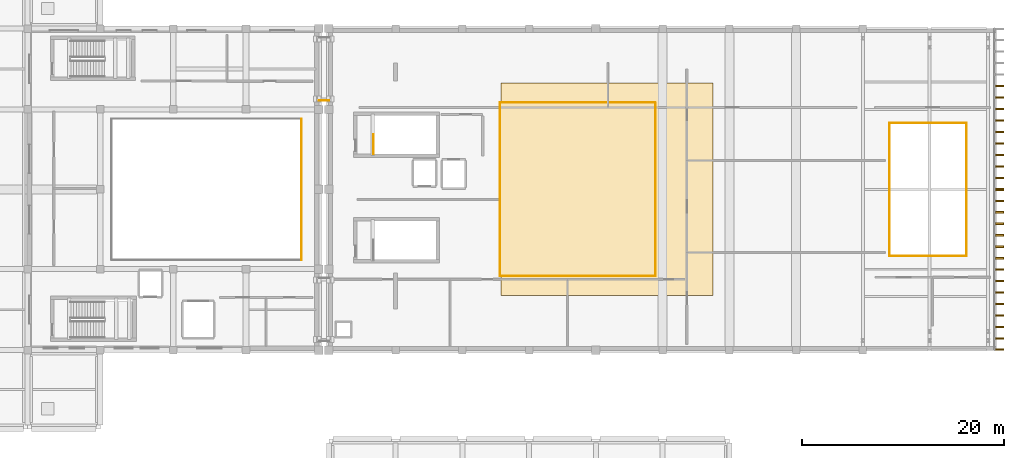
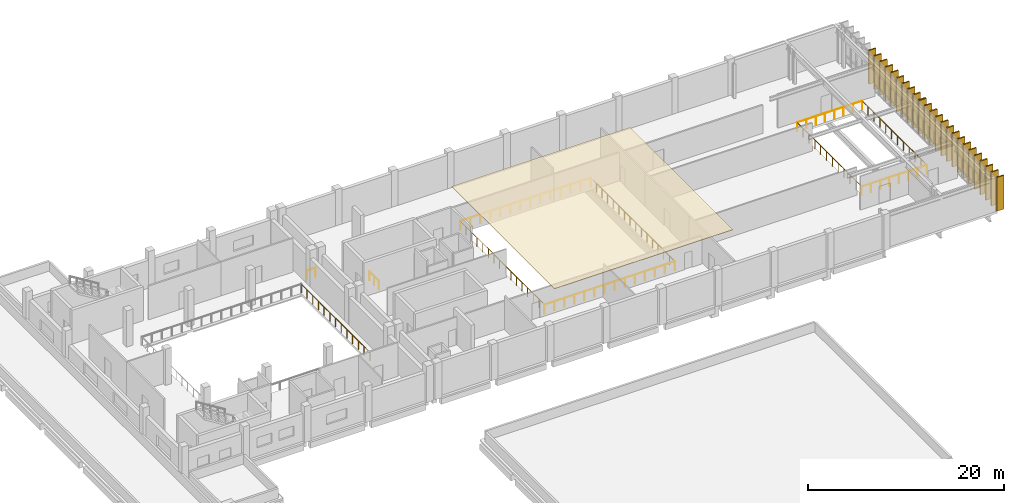
# One storey, part 21 of 23: 26 coverings, 11 railings.
"""IFC4 building model written with IfcOpenShell, lengths in metres."""

from ifc_helpers import new_model, si_unit, direction, frame, origin, origin_2d, place, context, subcontext, project, spatial, polyline, rectangle, circle, outline, extrude, material, layer, layer_set, type_object, element, save


model = new_model("IFC4")

# Units and contexts
model_context = context("Model", 3, precision=1e-05, world=origin(), true_north=direction((0.0, 1.0)))
body_context = subcontext(model_context, "Body", "Model", "MODEL_VIEW")
ifc_project = project(units=[si_unit("LENGTHUNIT", "METRE"), si_unit("AREAUNIT", "SQUARE_METRE"), si_unit("VOLUMEUNIT", "CUBIC_METRE"), si_unit("PLANEANGLEUNIT", "RADIAN"), si_unit("MASSUNIT", "GRAM", prefix="KILO")], contexts=[model_context])

# Site, building, storey
site_placement = place(None, origin())
site = spatial("IfcSite", under=ifc_project, at=site_placement, CompositionType="ELEMENT")
building_placement = place(site_placement, origin())
building = spatial("IfcBuilding", under=site, at=building_placement, Name="Kelarvand Opera House", CompositionType="ELEMENT")
storey_placement = place(building_placement, frame((0.0, 0.0, 19.5)))
storey = spatial("IfcBuildingStorey", under=building, at=storey_placement, Name="L04", CompositionType="ELEMENT", Elevation=19.5)

# Railings
ifc_material_1 = material(Name="Laminated safety glass with bronze cap rail", Category="glass")
railing_type_1 = type_object("IfcRailingType", Name="Laminated Glass and Bronze Foyer Balustrade 1120", PredefinedType="BALUSTRADE", material=ifc_material_1)
railing_1_placement = place(storey_placement, frame((121.280029296875, 71.080078125, 0.0)))
element("IfcRailing", 1, at=railing_1_placement, inside=storey, type_object=railing_type_1, Name="V1 L04 Balustrade 97", PredefinedType="BALUSTRADE", context=body_context, shape_type="SweptSolid", body=[
    extrude(circle(Radius=0.02392578125, at=origin_2d()), frame((0.0, 0.0, 1.09619140625), z_axis=(0.0, -1.0, 0.0), x_axis=(1.0, 0.0, 0.0)), (0.0, 0.0, 1.0), 17.16015625),
    extrude(circle(Radius=0.02099609375, at=origin_2d()), origin(), (0.0, 0.0, 1.0), 1.072021484375),
    extrude(circle(Radius=0.02099609375, at=origin_2d()), frame((0.0, -1.14404296875, 0.0)), (0.0, 0.0, 1.0), 1.072021484375),
    extrude(circle(Radius=0.02099609375, at=origin_2d()), frame((0.0, -2.2880859375, 0.0)), (0.0, 0.0, 1.0), 1.072021484375),
    extrude(circle(Radius=0.02099609375, at=origin_2d()), frame((0.0, -3.43212890625, 0.0)), (0.0, 0.0, 1.0), 1.072021484375),
    extrude(circle(Radius=0.02099609375, at=origin_2d()), frame((0.0, -4.575927734375, 0.0)), (0.0, 0.0, 1.0), 1.072021484375),
    extrude(circle(Radius=0.02099609375, at=origin_2d()), frame((0.0, -5.719970703125, 0.0)), (0.0, 0.0, 1.0), 1.072021484375),
    extrude(circle(Radius=0.02099609375, at=origin_2d()), frame((0.0, -6.864013671875, 0.0)), (0.0, 0.0, 1.0), 1.072021484375),
    extrude(circle(Radius=0.02099609375, at=origin_2d()), frame((0.0, -8.008056640625, 0.0)), (0.0, 0.0, 1.0), 1.072021484375),
    extrude(circle(Radius=0.02099609375, at=origin_2d()), frame((0.0, -9.152099609375, 0.0)), (0.0, 0.0, 1.0), 1.072021484375),
    extrude(circle(Radius=0.02099609375, at=origin_2d()), frame((0.0, -10.296142578125, 0.0)), (0.0, 0.0, 1.0), 1.072021484375),
    extrude(circle(Radius=0.02099609375, at=origin_2d()), frame((0.0, -11.440185546875, 0.0)), (0.0, 0.0, 1.0), 1.072021484375),
    extrude(circle(Radius=0.02099609375, at=origin_2d()), frame((0.0, -12.584228515625, 0.0)), (0.0, 0.0, 1.0), 1.072021484375),
    extrude(circle(Radius=0.02099609375, at=origin_2d()), frame((0.0, -13.72802734375, 0.0)), (0.0, 0.0, 1.0), 1.072021484375),
    extrude(circle(Radius=0.02099609375, at=origin_2d()), frame((0.0, -14.8720703125, 0.0)), (0.0, 0.0, 1.0), 1.072021484375),
    extrude(circle(Radius=0.02099609375, at=origin_2d()), frame((0.0, -16.01611328125, 0.0)), (0.0, 0.0, 1.0), 1.072021484375),
    extrude(circle(Radius=0.02099609375, at=origin_2d()), frame((0.0, -17.16015625, 0.0)), (0.0, 0.0, 1.0), 1.072021484375),
])
railing_2_placement = place(storey_placement, frame((121.280029296875, 53.919921875, 0.0)))
element("IfcRailing", 2, at=railing_2_placement, inside=storey, type_object=railing_type_1, Name="V1 L04 Balustrade 98", PredefinedType="BALUSTRADE", context=body_context, shape_type="SweptSolid", body=[
    extrude(circle(Radius=0.02392578125, at=origin_2d()), frame((0.0, 0.0, 1.09619140625), z_axis=(-1.0, 0.0, 0.0), x_axis=(0.0, -1.0, 0.0)), (0.0, 0.0, 1.0), 15.360107421875),
    extrude(circle(Radius=0.02099609375, at=origin_2d()), origin(), (0.0, 0.0, 1.0), 1.072021484375),
    extrude(circle(Radius=0.02099609375, at=origin_2d()), frame((-1.181640625, 0.0, 0.0)), (0.0, 0.0, 1.0), 1.072021484375),
    extrude(circle(Radius=0.02099609375, at=origin_2d()), frame((-2.363037109375, 0.0, 0.0)), (0.0, 0.0, 1.0), 1.072021484375),
    extrude(circle(Radius=0.02099609375, at=origin_2d()), frame((-3.544677734375, 0.0, 0.0)), (0.0, 0.0, 1.0), 1.072021484375),
    extrude(circle(Radius=0.02099609375, at=origin_2d()), frame((-4.72607421875, 0.0, 0.0)), (0.0, 0.0, 1.0), 1.072021484375),
    extrude(circle(Radius=0.02099609375, at=origin_2d()), frame((-5.90771484375, 0.0, 0.0)), (0.0, 0.0, 1.0), 1.072021484375),
    extrude(circle(Radius=0.02099609375, at=origin_2d()), frame((-7.08935546875, 0.0, 0.0)), (0.0, 0.0, 1.0), 1.072021484375),
    extrude(circle(Radius=0.02099609375, at=origin_2d()), frame((-8.270751953125, 0.0, 0.0)), (0.0, 0.0, 1.0), 1.072021484375),
    extrude(circle(Radius=0.02099609375, at=origin_2d()), frame((-9.452392578125, 0.0, 0.0)), (0.0, 0.0, 1.0), 1.072021484375),
    extrude(circle(Radius=0.02099609375, at=origin_2d()), frame((-10.634033203125, 0.0, 0.0)), (0.0, 0.0, 1.0), 1.072021484375),
    extrude(circle(Radius=0.02099609375, at=origin_2d()), frame((-11.8154296875, 0.0, 0.0)), (0.0, 0.0, 1.0), 1.072021484375),
    extrude(circle(Radius=0.02099609375, at=origin_2d()), frame((-12.9970703125, 0.0, 0.0)), (0.0, 0.0, 1.0), 1.072021484375),
    extrude(circle(Radius=0.02099609375, at=origin_2d()), frame((-14.178466796875, 0.0, 0.0)), (0.0, 0.0, 1.0), 1.072021484375),
    extrude(circle(Radius=0.02099609375, at=origin_2d()), frame((-15.360107421875, 0.0, 0.0)), (0.0, 0.0, 1.0), 1.072021484375),
])
railing_3_placement = place(storey_placement, frame((105.919921875, 53.919921875, 0.0)))
element("IfcRailing", 3, at=railing_3_placement, inside=storey, type_object=railing_type_1, Name="V1 L04 Balustrade 99", PredefinedType="BALUSTRADE", context=body_context, shape_type="SweptSolid", body=[
    extrude(circle(Radius=0.02392578125, at=origin_2d()), frame((0.0, 0.0, 1.09619140625), z_axis=(0.0, 1.0, 0.0), x_axis=(-1.0, 0.0, 0.0)), (0.0, 0.0, 1.0), 17.16015625),
    extrude(circle(Radius=0.02099609375, at=origin_2d()), origin(), (0.0, 0.0, 1.0), 1.072021484375),
    extrude(circle(Radius=0.02099609375, at=origin_2d()), frame((0.0, 1.14404296875, 0.0)), (0.0, 0.0, 1.0), 1.072021484375),
    extrude(circle(Radius=0.02099609375, at=origin_2d()), frame((0.0, 2.2880859375, 0.0)), (0.0, 0.0, 1.0), 1.072021484375),
    extrude(circle(Radius=0.02099609375, at=origin_2d()), frame((0.0, 3.43212890625, 0.0)), (0.0, 0.0, 1.0), 1.072021484375),
    extrude(circle(Radius=0.02099609375, at=origin_2d()), frame((0.0, 4.575927734375, 0.0)), (0.0, 0.0, 1.0), 1.072021484375),
    extrude(circle(Radius=0.02099609375, at=origin_2d()), frame((0.0, 5.719970703125, 0.0)), (0.0, 0.0, 1.0), 1.072021484375),
    extrude(circle(Radius=0.02099609375, at=origin_2d()), frame((0.0, 6.864013671875, 0.0)), (0.0, 0.0, 1.0), 1.072021484375),
    extrude(circle(Radius=0.02099609375, at=origin_2d()), frame((0.0, 8.008056640625, 0.0)), (0.0, 0.0, 1.0), 1.072021484375),
    extrude(circle(Radius=0.02099609375, at=origin_2d()), frame((0.0, 9.152099609375, 0.0)), (0.0, 0.0, 1.0), 1.072021484375),
    extrude(circle(Radius=0.02099609375, at=origin_2d()), frame((0.0, 10.296142578125, 0.0)), (0.0, 0.0, 1.0), 1.072021484375),
    extrude(circle(Radius=0.02099609375, at=origin_2d()), frame((0.0, 11.440185546875, 0.0)), (0.0, 0.0, 1.0), 1.072021484375),
    extrude(circle(Radius=0.02099609375, at=origin_2d()), frame((0.0, 12.584228515625, 0.0)), (0.0, 0.0, 1.0), 1.072021484375),
    extrude(circle(Radius=0.02099609375, at=origin_2d()), frame((0.0, 13.72802734375, 0.0)), (0.0, 0.0, 1.0), 1.072021484375),
    extrude(circle(Radius=0.02099609375, at=origin_2d()), frame((0.0, 14.8720703125, 0.0)), (0.0, 0.0, 1.0), 1.072021484375),
    extrude(circle(Radius=0.02099609375, at=origin_2d()), frame((0.0, 16.01611328125, 0.0)), (0.0, 0.0, 1.0), 1.072021484375),
    extrude(circle(Radius=0.02099609375, at=origin_2d()), frame((0.0, 17.16015625, 0.0)), (0.0, 0.0, 1.0), 1.072021484375),
])
railing_4_placement = place(storey_placement, frame((105.919921875, 71.080078125, 0.0)))
element("IfcRailing", 4, at=railing_4_placement, inside=storey, type_object=railing_type_1, Name="V1 L04 Balustrade 100", PredefinedType="BALUSTRADE", context=body_context, shape_type="SweptSolid", body=[
    extrude(circle(Radius=0.02392578125, at=origin_2d()), frame((0.0, 0.0, 1.09619140625), z_axis=(1.0, 0.0, 0.0), x_axis=(0.0, 1.0, 0.0)), (0.0, 0.0, 1.0), 15.360107421875),
    extrude(circle(Radius=0.02099609375, at=origin_2d()), origin(), (0.0, 0.0, 1.0), 1.072021484375),
    extrude(circle(Radius=0.02099609375, at=origin_2d()), frame((1.181640625, 0.0, 0.0)), (0.0, 0.0, 1.0), 1.072021484375),
    extrude(circle(Radius=0.02099609375, at=origin_2d()), frame((2.363037109375, 0.0, 0.0)), (0.0, 0.0, 1.0), 1.072021484375),
    extrude(circle(Radius=0.02099609375, at=origin_2d()), frame((3.544677734375, 0.0, 0.0)), (0.0, 0.0, 1.0), 1.072021484375),
    extrude(circle(Radius=0.02099609375, at=origin_2d()), frame((4.72607421875, 0.0, 0.0)), (0.0, 0.0, 1.0), 1.072021484375),
    extrude(circle(Radius=0.02099609375, at=origin_2d()), frame((5.90771484375, 0.0, 0.0)), (0.0, 0.0, 1.0), 1.072021484375),
    extrude(circle(Radius=0.02099609375, at=origin_2d()), frame((7.08935546875, 0.0, 0.0)), (0.0, 0.0, 1.0), 1.072021484375),
    extrude(circle(Radius=0.02099609375, at=origin_2d()), frame((8.270751953125, 0.0, 0.0)), (0.0, 0.0, 1.0), 1.072021484375),
    extrude(circle(Radius=0.02099609375, at=origin_2d()), frame((9.452392578125, 0.0, 0.0)), (0.0, 0.0, 1.0), 1.072021484375),
    extrude(circle(Radius=0.02099609375, at=origin_2d()), frame((10.634033203125, 0.0, 0.0)), (0.0, 0.0, 1.0), 1.072021484375),
    extrude(circle(Radius=0.02099609375, at=origin_2d()), frame((11.8154296875, 0.0, 0.0)), (0.0, 0.0, 1.0), 1.072021484375),
    extrude(circle(Radius=0.02099609375, at=origin_2d()), frame((12.9970703125, 0.0, 0.0)), (0.0, 0.0, 1.0), 1.072021484375),
    extrude(circle(Radius=0.02099609375, at=origin_2d()), frame((14.178466796875, 0.0, 0.0)), (0.0, 0.0, 1.0), 1.072021484375),
    extrude(circle(Radius=0.02099609375, at=origin_2d()), frame((15.360107421875, 0.0, 0.0)), (0.0, 0.0, 1.0), 1.072021484375),
])
railing_5_placement = place(storey_placement, frame((152.080078125, 69.080078125, 0.0)))
element("IfcRailing", 5, at=railing_5_placement, inside=storey, type_object=railing_type_1, Name="V1 L04 Balustrade 101", PredefinedType="BALUSTRADE", context=body_context, shape_type="SweptSolid", body=[
    extrude(circle(Radius=0.02392578125, at=origin_2d()), frame((0.0, 0.0, 1.09619140625), z_axis=(0.0, -1.0, 0.0), x_axis=(1.0, 0.0, 0.0)), (0.0, 0.0, 1.0), 13.16015625),
    extrude(circle(Radius=0.02099609375, at=origin_2d()), origin(), (0.0, 0.0, 1.0), 1.072021484375),
    extrude(circle(Radius=0.02099609375, at=origin_2d()), frame((0.0, -1.1962890625, 0.0)), (0.0, 0.0, 1.0), 1.072021484375),
    extrude(circle(Radius=0.02099609375, at=origin_2d()), frame((0.0, -2.392822265625, 0.0)), (0.0, 0.0, 1.0), 1.072021484375),
    extrude(circle(Radius=0.02099609375, at=origin_2d()), frame((0.0, -3.589111328125, 0.0)), (0.0, 0.0, 1.0), 1.072021484375),
    extrude(circle(Radius=0.02099609375, at=origin_2d()), frame((0.0, -4.785400390625, 0.0)), (0.0, 0.0, 1.0), 1.072021484375),
    extrude(circle(Radius=0.02099609375, at=origin_2d()), frame((0.0, -5.98193359375, 0.0)), (0.0, 0.0, 1.0), 1.072021484375),
    extrude(circle(Radius=0.02099609375, at=origin_2d()), frame((0.0, -7.17822265625, 0.0)), (0.0, 0.0, 1.0), 1.072021484375),
    extrude(circle(Radius=0.02099609375, at=origin_2d()), frame((0.0, -8.374755859375, 0.0)), (0.0, 0.0, 1.0), 1.072021484375),
    extrude(circle(Radius=0.02099609375, at=origin_2d()), frame((0.0, -9.571044921875, 0.0)), (0.0, 0.0, 1.0), 1.072021484375),
    extrude(circle(Radius=0.02099609375, at=origin_2d()), frame((0.0, -10.767333984375, 0.0)), (0.0, 0.0, 1.0), 1.072021484375),
    extrude(circle(Radius=0.02099609375, at=origin_2d()), frame((0.0, -11.9638671875, 0.0)), (0.0, 0.0, 1.0), 1.072021484375),
    extrude(circle(Radius=0.02099609375, at=origin_2d()), frame((0.0, -13.16015625, 0.0)), (0.0, 0.0, 1.0), 1.072021484375),
])
railing_6_placement = place(storey_placement, frame((152.080078125, 55.919921875, 0.0)))
element("IfcRailing", 6, at=railing_6_placement, inside=storey, type_object=railing_type_1, Name="V1 L04 Balustrade 102", PredefinedType="BALUSTRADE", context=body_context, shape_type="SweptSolid", body=[
    extrude(circle(Radius=0.02392578125, at=origin_2d()), frame((0.0, 0.0, 1.09619140625), z_axis=(-1.0, 0.0, 0.0), x_axis=(0.0, -1.0, 0.0)), (0.0, 0.0, 1.0), 7.66015625),
    extrude(circle(Radius=0.02099609375, at=origin_2d()), origin(), (0.0, 0.0, 1.0), 1.072021484375),
    extrude(circle(Radius=0.02099609375, at=origin_2d()), frame((-1.09423828125, 0.0, 0.0)), (0.0, 0.0, 1.0), 1.072021484375),
    extrude(circle(Radius=0.02099609375, at=origin_2d()), frame((-2.188720703125, 0.0, 0.0)), (0.0, 0.0, 1.0), 1.072021484375),
    extrude(circle(Radius=0.02099609375, at=origin_2d()), frame((-3.282958984375, 0.0, 0.0)), (0.0, 0.0, 1.0), 1.072021484375),
    extrude(circle(Radius=0.02099609375, at=origin_2d()), frame((-4.377197265625, 0.0, 0.0)), (0.0, 0.0, 1.0), 1.072021484375),
    extrude(circle(Radius=0.02099609375, at=origin_2d()), frame((-5.471435546875, 0.0, 0.0)), (0.0, 0.0, 1.0), 1.072021484375),
    extrude(circle(Radius=0.02099609375, at=origin_2d()), frame((-6.56591796875, 0.0, 0.0)), (0.0, 0.0, 1.0), 1.072021484375),
    extrude(circle(Radius=0.02099609375, at=origin_2d()), frame((-7.66015625, 0.0, 0.0)), (0.0, 0.0, 1.0), 1.072021484375),
])
railing_7_placement = place(storey_placement, frame((144.419921875, 55.919921875, 0.0)))
element("IfcRailing", 7, at=railing_7_placement, inside=storey, type_object=railing_type_1, Name="V1 L04 Balustrade 103", PredefinedType="BALUSTRADE", context=body_context, shape_type="SweptSolid", body=[
    extrude(circle(Radius=0.02392578125, at=origin_2d()), frame((0.0, 0.0, 1.09619140625), z_axis=(0.0, 1.0, 0.0), x_axis=(-1.0, 0.0, 0.0)), (0.0, 0.0, 1.0), 13.16015625),
    extrude(circle(Radius=0.02099609375, at=origin_2d()), origin(), (0.0, 0.0, 1.0), 1.072021484375),
    extrude(circle(Radius=0.02099609375, at=origin_2d()), frame((0.0, 1.1962890625, 0.0)), (0.0, 0.0, 1.0), 1.072021484375),
    extrude(circle(Radius=0.02099609375, at=origin_2d()), frame((0.0, 2.392822265625, 0.0)), (0.0, 0.0, 1.0), 1.072021484375),
    extrude(circle(Radius=0.02099609375, at=origin_2d()), frame((0.0, 3.589111328125, 0.0)), (0.0, 0.0, 1.0), 1.072021484375),
    extrude(circle(Radius=0.02099609375, at=origin_2d()), frame((0.0, 4.785400390625, 0.0)), (0.0, 0.0, 1.0), 1.072021484375),
    extrude(circle(Radius=0.02099609375, at=origin_2d()), frame((0.0, 5.98193359375, 0.0)), (0.0, 0.0, 1.0), 1.072021484375),
    extrude(circle(Radius=0.02099609375, at=origin_2d()), frame((0.0, 7.17822265625, 0.0)), (0.0, 0.0, 1.0), 1.072021484375),
    extrude(circle(Radius=0.02099609375, at=origin_2d()), frame((0.0, 8.374755859375, 0.0)), (0.0, 0.0, 1.0), 1.072021484375),
    extrude(circle(Radius=0.02099609375, at=origin_2d()), frame((0.0, 9.571044921875, 0.0)), (0.0, 0.0, 1.0), 1.072021484375),
    extrude(circle(Radius=0.02099609375, at=origin_2d()), frame((0.0, 10.767333984375, 0.0)), (0.0, 0.0, 1.0), 1.072021484375),
    extrude(circle(Radius=0.02099609375, at=origin_2d()), frame((0.0, 11.9638671875, 0.0)), (0.0, 0.0, 1.0), 1.072021484375),
    extrude(circle(Radius=0.02099609375, at=origin_2d()), frame((0.0, 13.16015625, 0.0)), (0.0, 0.0, 1.0), 1.072021484375),
])
railing_8_placement = place(storey_placement, frame((144.419921875, 69.080078125, 0.0)))
element("IfcRailing", 8, at=railing_8_placement, inside=storey, type_object=railing_type_1, Name="V1 L04 Balustrade 104", PredefinedType="BALUSTRADE", context=body_context, shape_type="SweptSolid", body=[
    extrude(circle(Radius=0.02392578125, at=origin_2d()), frame((0.0, 0.0, 1.09619140625), z_axis=(1.0, 0.0, 0.0), x_axis=(0.0, 1.0, 0.0)), (0.0, 0.0, 1.0), 7.66015625),
    extrude(circle(Radius=0.02099609375, at=origin_2d()), origin(), (0.0, 0.0, 1.0), 1.072021484375),
    extrude(circle(Radius=0.02099609375, at=origin_2d()), frame((1.09423828125, 0.0, 0.0)), (0.0, 0.0, 1.0), 1.072021484375),
    extrude(circle(Radius=0.02099609375, at=origin_2d()), frame((2.188720703125, 0.0, 0.0)), (0.0, 0.0, 1.0), 1.072021484375),
    extrude(circle(Radius=0.02099609375, at=origin_2d()), frame((3.282958984375, 0.0, 0.0)), (0.0, 0.0, 1.0), 1.072021484375),
    extrude(circle(Radius=0.02099609375, at=origin_2d()), frame((4.377197265625, 0.0, 0.0)), (0.0, 0.0, 1.0), 1.072021484375),
    extrude(circle(Radius=0.02099609375, at=origin_2d()), frame((5.471435546875, 0.0, 0.0)), (0.0, 0.0, 1.0), 1.072021484375),
    extrude(circle(Radius=0.02099609375, at=origin_2d()), frame((6.56591796875, 0.0, 0.0)), (0.0, 0.0, 1.0), 1.072021484375),
    extrude(circle(Radius=0.02099609375, at=origin_2d()), frame((7.66015625, 0.0, 0.0)), (0.0, 0.0, 1.0), 1.072021484375),
])
railing_9_placement = place(storey_placement, frame((88.0, 71.280029296875, 0.0)))
element("IfcRailing", 9, at=railing_9_placement, inside=storey, type_object=railing_type_1, Name="V1 L04 Balustrade 143", PredefinedType="BALUSTRADE", context=body_context, shape_type="SweptSolid", body=[
    extrude(circle(Radius=0.02392578125, at=origin_2d()), frame((0.0, 0.0, 1.09619140625), z_axis=(1.0, 0.0, 0.0), x_axis=(0.0, 1.0, 0.0)), (0.0, 0.0, 1.0), 1.0),
    extrude(circle(Radius=0.02099609375, at=origin_2d()), origin(), (0.0, 0.0, 1.0), 1.072021484375),
    extrude(circle(Radius=0.02099609375, at=origin_2d()), frame((1.0, 0.0, 0.0)), (0.0, 0.0, 1.0), 1.072021484375),
])
ifc_material_2 = material(Name="Powder-coated Steel S355", Category="steel")
railing_type_2 = type_object("IfcRailingType", Name="Painted Steel Stair and Void Guardrail 1100", PredefinedType="GUARDRAIL", material=ifc_material_2)
railing_10_placement = place(storey_placement, frame((93.409912109375, 66.0, 0.0)))
element("IfcRailing", 10, at=railing_10_placement, inside=storey, type_object=railing_type_2, Name="L04 ST-01 top well guard 1", PredefinedType="GUARDRAIL", context=body_context, shape_type="SweptSolid", body=[
    extrude(circle(Radius=0.02392578125, at=origin_2d()), frame((0.0, 0.0, 1.076171875), z_axis=(0.0, 1.0, 0.0), x_axis=(-1.0, 0.0, 0.0)), (0.0, 0.0, 1.0), 1.93994140625),
    extrude(circle(Radius=0.02099609375, at=origin_2d()), origin(), (0.0, 0.0, 1.0), 1.052001953125),
    extrude(circle(Radius=0.02099609375, at=origin_2d()), frame((0.0, 0.969970703125, 0.0)), (0.0, 0.0, 1.0), 1.052001953125),
    extrude(circle(Radius=0.02099609375, at=origin_2d()), frame((0.0, 1.93994140625, 0.0)), (0.0, 0.0, 1.0), 1.052001953125),
])
railing_11_placement = place(storey_placement, frame((86.280029296875, 69.47998046875, 0.0)))
element("IfcRailing", 11, at=railing_11_placement, inside=storey, type_object=railing_type_2, Name="V2 L04 Guardrail 105", PredefinedType="GUARDRAIL", context=body_context, shape_type="SweptSolid", body=[
    extrude(circle(Radius=0.02392578125, at=origin_2d()), frame((0.0, 0.0, 1.076171875), z_axis=(0.0, -1.0, 0.0), x_axis=(1.0, 0.0, 0.0)), (0.0, 0.0, 1.0), 13.9599609375),
    extrude(circle(Radius=0.02099609375, at=origin_2d()), origin(), (0.0, 0.0, 1.0), 1.052001953125),
    extrude(circle(Radius=0.02099609375, at=origin_2d()), frame((0.0, -1.163330078125, 0.0)), (0.0, 0.0, 1.0), 1.052001953125),
    extrude(circle(Radius=0.02099609375, at=origin_2d()), frame((0.0, -2.32666015625, 0.0)), (0.0, 0.0, 1.0), 1.052001953125),
    extrude(circle(Radius=0.02099609375, at=origin_2d()), frame((0.0, -3.489990234375, 0.0)), (0.0, 0.0, 1.0), 1.052001953125),
    extrude(circle(Radius=0.02099609375, at=origin_2d()), frame((0.0, -4.6533203125, 0.0)), (0.0, 0.0, 1.0), 1.052001953125),
    extrude(circle(Radius=0.02099609375, at=origin_2d()), frame((0.0, -5.816650390625, 0.0)), (0.0, 0.0, 1.0), 1.052001953125),
    extrude(circle(Radius=0.02099609375, at=origin_2d()), frame((0.0, -6.97998046875, 0.0)), (0.0, 0.0, 1.0), 1.052001953125),
    extrude(circle(Radius=0.02099609375, at=origin_2d()), frame((0.0, -8.143310546875, 0.0)), (0.0, 0.0, 1.0), 1.052001953125),
    extrude(circle(Radius=0.02099609375, at=origin_2d()), frame((0.0, -9.306640625, 0.0)), (0.0, 0.0, 1.0), 1.052001953125),
    extrude(circle(Radius=0.02099609375, at=origin_2d()), frame((0.0, -10.469970703125, 0.0)), (0.0, 0.0, 1.0), 1.052001953125),
    extrude(circle(Radius=0.02099609375, at=origin_2d()), frame((0.0, -11.63330078125, 0.0)), (0.0, 0.0, 1.0), 1.052001953125),
    extrude(circle(Radius=0.02099609375, at=origin_2d()), frame((0.0, -12.796630859375, 0.0)), (0.0, 0.0, 1.0), 1.052001953125),
    extrude(circle(Radius=0.02099609375, at=origin_2d()), frame((0.0, -13.9599609375, 0.0)), (0.0, 0.0, 1.0), 1.052001953125),
])

# Coverings
ifc_material_3 = material(Name="Perforated walnut acoustic slats on steel sub-frame", Category="steel")
ifc_layer_1 = layer(ifc_material_3, 0.06005859375, Name="Perforated walnut acoustic slats on steel sub-frame", Category="steel")
ifc_layer_set_1 = layer_set([ifc_layer_1], Name="Perforated walnut acoustic slats on steel sub-frame")
covering_type_1 = type_object("IfcCoveringType", Name="Sculpted Timber Acoustic Soffit and Hall Ceiling 60mm", PredefinedType="CEILING", material=ifc_layer_set_1)
covering_placement = place(storey_placement, frame((0.0, 0.0, 4.159912109375)))
element("IfcCovering", 12, at=covering_placement, inside=storey, type_object=covering_type_1, Name="V1 L04 Acoustic Walnut Ceiling 2", PredefinedType="CEILING", context=body_context, shape_type="SweptSolid", body=[
    extrude(outline(polyline([(106.0, 52.0), (127.0, 52.0), (127.0, 73.0), (106.0, 73.0), (106.0, 52.0)])), origin(), (0.0, 0.0, 1.0), 0.06005859375),
])
ifc_material_4 = material(Name="Azarshahr buff travertine stone panels", Category="masonry")
ifc_layer_2 = layer(ifc_material_4, 0.159912109375, Name="Azarshahr buff travertine stone panels", Category="masonry")
ifc_layer_set_2 = layer_set([ifc_layer_2], Name="Azarshahr buff travertine stone panels")
covering_type_2 = type_object("IfcCoveringType", Name="Vertical Travertine-Bronze Architectural Fin 850x160", PredefinedType="CLADDING", material=ifc_layer_set_2)
for number, where, z_axis, x_axis, name in (
    (13, (155.340087890625, 72.71630859375, 0.0), (0.0, 0.0, 1.0), (1.0, 0.0, 0.0), "V1 East Facade Vertical Fin 130"),
    (14, (155.340087890625, 71.581787109375, 0.0), (0.0, 0.0, 1.0), (1.0, 0.0, 0.0), "V1 East Facade Vertical Fin 131"),
    (15, (155.340087890625, 70.447021484375, 0.0), (0.0, 0.0, 1.0), (1.0, 0.0, 0.0), "V1 East Facade Vertical Fin 132"),
    (16, (155.340087890625, 69.312255859375, 0.0), (0.0, 0.0, 1.0), (1.0, 0.0, 0.0), "V1 East Facade Vertical Fin 133"),
    (17, (155.340087890625, 68.177490234375, 0.0), (0.0, 0.0, 1.0), (1.0, 0.0, 0.0), "V1 East Facade Vertical Fin 134"),
    (18, (155.340087890625, 67.04296875, 0.0), (0.0, 0.0, 1.0), (1.0, 0.0, 0.0), "V1 East Facade Vertical Fin 135"),
    (19, (155.340087890625, 65.908203125, 0.0), (0.0, 0.0, 1.0), (1.0, 0.0, 0.0), "V1 East Facade Vertical Fin 136"),
    (20, (155.340087890625, 64.7734375, 0.0), (0.0, 0.0, 1.0), (1.0, 0.0, 0.0), "V1 East Facade Vertical Fin 137"),
    (21, (155.340087890625, 63.638671875, 0.0), (0.0, 0.0, 1.0), (1.0, 0.0, 0.0), "V1 East Facade Vertical Fin 138"),
    (22, (155.340087890625, 62.54150390625, 0.0), (0.0, 0.0, 1.0), (1.0, 0.0, 0.0), "V1 East Facade Vertical Fin 139"),
    (23, (155.340087890625, 62.46240234375, 0.0), (0.0, 0.0, 1.0), (1.0, 0.0, 0.0), "V1 East Facade Vertical Fin 140"),
    (24, (155.340087890625, 61.364990234375, 0.0), (0.0, 0.0, 1.0), (1.0, 0.0, 0.0), "V1 East Facade Vertical Fin 141"),
    (25, (155.340087890625, 60.22998046875, 0.0), (0.0, 0.0, 1.0), (1.0, 0.0, 0.0), "V1 East Facade Vertical Fin 142"),
    (26, (155.340087890625, 59.094970703125, 0.0), (0.0, 0.0, 1.0), (1.0, 0.0, 0.0), "V1 East Facade Vertical Fin 143"),
    (27, (155.340087890625, 57.9599609375, 0.0), (0.0, 0.0, 1.0), (1.0, 0.0, 0.0), "V1 East Facade Vertical Fin 144"),
    (28, (155.340087890625, 56.824951171875, 0.0), (0.0, 0.0, 1.0), (1.0, 0.0, 0.0), "V1 East Facade Vertical Fin 145"),
    (29, (155.340087890625, 55.68994140625, 0.0), (0.0, 0.0, 1.0), (1.0, 0.0, 0.0), "V1 East Facade Vertical Fin 146"),
    (30, (155.340087890625, 54.554931640625, 0.0), (0.0, 0.0, 1.0), (1.0, 0.0, 0.0), "V1 East Facade Vertical Fin 147"),
    (31, (155.340087890625, 53.419921875, 0.0), (0.0, 0.0, 1.0), (1.0, 0.0, 0.0), "V1 East Facade Vertical Fin 148"),
    (32, (155.340087890625, 52.284912109375, 0.0), (0.0, 0.0, 1.0), (1.0, 0.0, 0.0), "V1 East Facade Vertical Fin 149"),
    (33, (155.340087890625, 51.14990234375, 0.0), (0.0, 0.0, 1.0), (1.0, 0.0, 0.0), "V1 East Facade Vertical Fin 150"),
    (34, (155.340087890625, 50.014892578125, 0.0), (0.0, 0.0, 1.0), (1.0, 0.0, 0.0), "V1 East Facade Vertical Fin 151"),
    (35, (155.340087890625, 48.8798828125, 0.0), (0.0, 0.0, 1.0), (1.0, 0.0, 0.0), "V1 East Facade Vertical Fin 152"),
    (36, (155.340087890625, 47.7451171875, 0.0), (0.0, 0.0, 1.0), (1.0, 0.0, 0.0), "V1 East Facade Vertical Fin 153"),
    (37, (155.340087890625, 46.6474609375, 0.0), (0.0, 0.0, 1.0), (1.0, 0.0, 0.0), "V1 East Facade Vertical Fin 154"),
):
    element("IfcCovering", number, at=place(storey_placement, frame(where, z_axis=z_axis, x_axis=x_axis)), inside=storey, type_object=covering_type_2, Name=name, PredefinedType="CLADDING", context=body_context, shape_type="SweptSolid", body=[
        extrude(rectangle(XDim=0.85009765625, YDim=0.159912109375, at=origin_2d()), origin(), (0.0, 0.0, 1.0), 4.199951171875),
    ])

save(model, "model.ifc")
